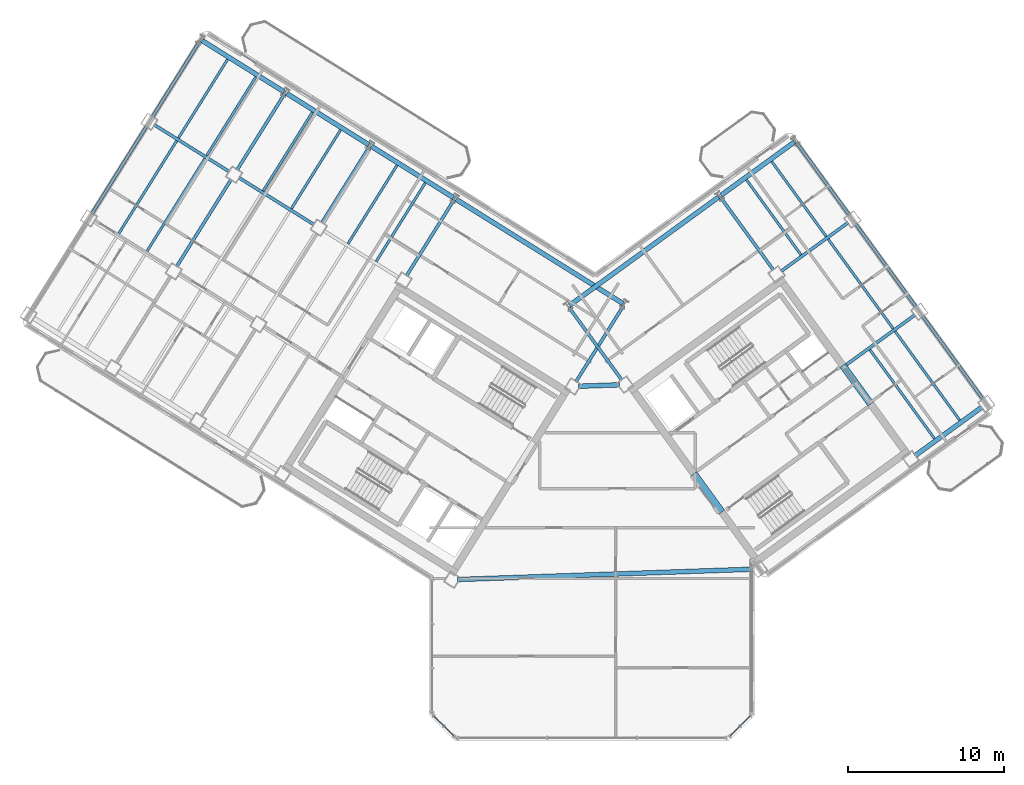
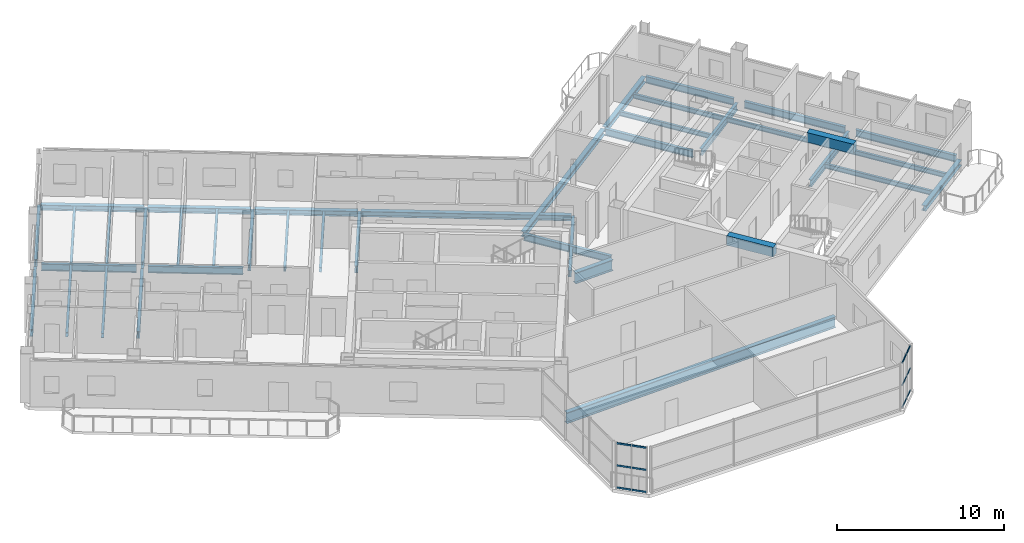
# One storey, part 7 of 21: 40 beams, 12 members, 2 elements without a shape of their own.
"""IFC4 building model written with IfcOpenShell, lengths in metres."""

import ifcopenshell
import ifcopenshell.guid

model = None  # the IFC model being written
_history = None  # IfcOwnerHistory: only IFC2X3 demands one
_inside = {}  # id of a spatial element -> (the spatial element, [elements in it])
_under = {}  # id of a project, library or spatial element -> (it, [spatial elements below it])
_declared = {}  # id of a project -> (the project, [libraries it declares])
_typed = {}  # id of a type object -> (the type object, [elements of that type])
_made_of = {}  # id of a material, layer set ... -> (it, [elements and type objects made of it])


def new_model(schema):
    """Start an empty IFC model of exactly this schema.

    Asked for "IFC4X3", IfcOpenShell would pick the latest addendum, in which some entities
    have other attributes; the version numbers below select the first issue.
    IFC2X3 requires an IfcOwnerHistory on every rooted entity: one is made here for all.
    """
    global model, _history
    if schema == "IFC4X3":
        model = ifcopenshell.file(schema_version=(4, 3, 0, 0))
    else:
        model = ifcopenshell.file(schema=schema)
    _inside.clear()
    _under.clear()
    _declared.clear()
    _typed.clear()
    _made_of.clear()
    _history = None
    if model.schema == "IFC2X3":
        org = make("IfcOrganization", Name="unknown")
        user = make(
            "IfcPersonAndOrganization",
            ThePerson=make("IfcPerson", FamilyName="unknown"),
            TheOrganization=org,
        )
        app = make(
            "IfcApplication",
            ApplicationDeveloper=org,
            Version="unknown",
            ApplicationFullName="unknown",
            ApplicationIdentifier="unknown",
        )
        _history = make(
            "IfcOwnerHistory",
            OwningUser=user,
            OwningApplication=app,
            ChangeAction="ADDED",
            CreationDate=0,
        )
    return model


def make(cls, **values):
    """One entity of the class cls with the attributes given. An attribute that is None is left unset."""
    return model.create_entity(
        cls, **{name: value for name, value in values.items() if value is not None}
    )


def rooted(cls, **values):
    """An entity with a GlobalId (a new one), such as an element, a storey or a relation."""
    return make(cls, GlobalId=ifcopenshell.guid.new(), OwnerHistory=_history, **values)


def si_unit(unit_type, name, prefix=None):
    """IfcSIUnit, for example si_unit("LENGTHUNIT", "METRE", prefix="MILLI")."""
    return make("IfcSIUnit", UnitType=unit_type, Prefix=prefix, Name=name)


def assignment(units):
    """IfcUnitAssignment: the units of a project."""
    return None if units is None else make("IfcUnitAssignment", Units=units)


def point(xyz):
    """IfcCartesianPoint."""
    return None if xyz is None else make("IfcCartesianPoint", Coordinates=xyz)


def direction(xyz):
    """IfcDirection."""
    return None if xyz is None else make("IfcDirection", DirectionRatios=xyz)


def frame(location, z_axis=None, x_axis=None):
    """IfcAxis2Placement3D, a coordinate frame: its origin and axes. An axis left out is left unset."""
    return make(
        "IfcAxis2Placement3D",
        Location=point(location),
        Axis=direction(z_axis),
        RefDirection=direction(x_axis),
    )


def frame_2d(location, x_axis=None):
    """IfcAxis2Placement2D, a coordinate frame in the plane: its origin and x axis."""
    return make(
        "IfcAxis2Placement2D", Location=point(location), RefDirection=direction(x_axis)
    )


def origin():
    """The frame at (0, 0, 0) with its axes left unset."""
    return frame((0.0, 0.0, 0.0))


def origin_2d():
    """The frame at (0, 0) in the plane with its x axis left unset."""
    return frame_2d((0.0, 0.0))


def place(relative_to, where):
    """IfcLocalPlacement: puts the frame where relative to a parent placement (None: the world)."""
    return make(
        "IfcLocalPlacement", PlacementRelTo=relative_to, RelativePlacement=where
    )


def context(
    kind, dimensions, precision=None, world=None, true_north=None, identifier=None
):
    """IfcGeometricRepresentationContext, for example the 3D "Model" context."""
    return make(
        "IfcGeometricRepresentationContext",
        ContextIdentifier=identifier,
        ContextType=kind,
        CoordinateSpaceDimension=dimensions,
        Precision=precision,
        WorldCoordinateSystem=world,
        TrueNorth=true_north,
    )


def subcontext(parent, identifier, kind, view, scale=None):
    """IfcGeometricRepresentationSubContext, for example "Body" below "Model"."""
    return make(
        "IfcGeometricRepresentationSubContext",
        ContextIdentifier=identifier,
        ContextType=kind,
        ParentContext=parent,
        TargetScale=scale,
        TargetView=view,
    )


def project(units=None, contexts=None):
    """IfcProject with its units and contexts."""
    return rooted(
        "IfcProject",
        Name="project",
        RepresentationContexts=contexts,
        UnitsInContext=assignment(units),
    )


def spatial(cls, under=None, at=None, **own):
    """A site, building, storey or space (cls), placed at a placement, below another one or the project."""
    s = rooted(cls, ObjectPlacement=at, **own)
    if under is not None:
        _under.setdefault(under.id(), (under, []))[1].append(s)
    return s


def profile(cls, at=None, kind="AREA", **sizes):
    """A parametric profile (cls). Its sizes go by their IFC names, for example OverallWidth=200.0."""
    return make(cls, ProfileType=kind, Position=at, **sizes)


def rectangle(**sizes):
    """IfcRectangleProfileDef."""
    return profile("IfcRectangleProfileDef", **sizes)


def hollow_rectangle(**sizes):
    """IfcRectangleHollowProfileDef."""
    return profile("IfcRectangleHollowProfileDef", **sizes)


def i_section(**sizes):
    """IfcIShapeProfileDef."""
    return profile("IfcIShapeProfileDef", **sizes)


def extrude(swept, where, along, depth):
    """IfcExtrudedAreaSolid: the profile swept, set in the frame where, extruded along a direction by depth."""
    return make(
        "IfcExtrudedAreaSolid",
        SweptArea=swept,
        Position=where,
        ExtrudedDirection=direction(along),
        Depth=depth,
    )


def shape(context_of_items, identifier, shape_type, items):
    """IfcShapeRepresentation: the items that make up one representation, for example the "Body"."""
    return make(
        "IfcShapeRepresentation",
        ContextOfItems=context_of_items,
        RepresentationIdentifier=identifier,
        RepresentationType=shape_type,
        Items=items,
    )


def source(mapping_origin, context_of_items, identifier, shape_type, items):
    """IfcRepresentationMap: a shape defined once, which mapped items show again and again."""
    return make(
        "IfcRepresentationMap",
        MappingOrigin=mapping_origin,
        MappedRepresentation=shape(context_of_items, identifier, shape_type, items),
    )


def transform(
    local_origin,
    x_axis=None,
    y_axis=None,
    z_axis=None,
    scale=None,
    scale2=None,
    scale3=None,
    uniform=True,
):
    """IfcCartesianTransformationOperator3D, or its non-uniform kind. x_axis, y_axis, z_axis: its Axis1, 2, 3."""
    if uniform:
        return make(
            "IfcCartesianTransformationOperator3D",
            Axis1=direction(x_axis),
            Axis2=direction(y_axis),
            LocalOrigin=point(local_origin),
            Scale=scale,
            Axis3=direction(z_axis),
        )
    return make(
        "IfcCartesianTransformationOperator3DnonUniform",
        Axis1=direction(x_axis),
        Axis2=direction(y_axis),
        LocalOrigin=point(local_origin),
        Scale=scale,
        Axis3=direction(z_axis),
        Scale2=scale2,
        Scale3=scale3,
    )


def mapped(mapping_source, mapping_target):
    """IfcMappedItem: shows the shape of a source again, moved by a transform."""
    return make(
        "IfcMappedItem", MappingSource=mapping_source, MappingTarget=mapping_target
    )


def material(Name=None, Category=None):
    """IfcMaterial."""
    return make("IfcMaterial", Name=Name, Category=Category)


def material_profile(
    of_material, cross_section, Name=None, Category=None, Priority=None
):
    """IfcMaterialProfile: a cross section and its material."""
    return make(
        "IfcMaterialProfile",
        Name=Name,
        Material=of_material,
        Profile=cross_section,
        Priority=Priority,
        Category=Category,
    )


def profile_set(profiles, Name=None, composite=None):
    """IfcMaterialProfileSet."""
    return make(
        "IfcMaterialProfileSet",
        Name=Name,
        MaterialProfiles=profiles,
        CompositeProfile=composite,
    )


def made_of(thing, what):
    """Note that an element or type object is made of a material, layer set ...; save() writes the relation."""
    if what is not None:
        _made_of.setdefault(what.id(), (what, []))[1].append(thing)
    return thing


def type_object(cls, material=None, **own):
    """A type object (cls), such as IfcWallType, which elements share."""
    return made_of(rooted(cls, **own), material)


def element(
    cls,
    number,
    at=None,
    inside=None,
    cuts=None,
    type_object=None,
    material=None,
    context=None,
    identifier="Body",
    shape_type=None,
    held_by="IfcProductDefinitionShape",
    body=None,
    shapes=None,
    **own,
):
    """One element of the class cls, such as IfcWall. Its Tag is "e" and its number.

    at: its placement. inside: the storey or other place that contains it. cuts: it is an
    opening in that element (IfcRelVoidsElement). A single representation is given by context,
    identifier, shape_type and body (its items); several are given by shapes. held_by: the class
    of the entity that holds the representations. save() writes the other relations.
    """
    e = rooted(cls, Tag="e%d" % number, ObjectPlacement=at, **own)
    if body is not None:
        shapes = [shape(context, identifier, shape_type, body)]
    if shapes is not None:
        e.Representation = make(held_by, Representations=shapes)
    if inside is not None:
        _inside.setdefault(inside.id(), (inside, []))[1].append(e)
    if cuts is not None:
        rooted(
            "IfcRelVoidsElement", RelatingBuildingElement=cuts, RelatedOpeningElement=e
        )
    if type_object is not None:
        _typed.setdefault(type_object.id(), (type_object, []))[1].append(e)
    return made_of(e, material)


def aggregate(whole, parts):
    """IfcRelAggregates: a whole, such as a stair, and the parts it consists of."""
    return rooted("IfcRelAggregates", RelatingObject=whole, RelatedObjects=parts)


def save(model, path):
    """Write the relations noted so far, then the file.

    IfcRelAggregates (storeys below a building ...), IfcRelContainedInSpatialStructure (elements
    in a storey), IfcRelDefinesByType, IfcRelAssociatesMaterial and IfcRelDeclares: one each for
    every whole, place, type object, material and project.
    """
    for whole, parts in _under.values():
        aggregate(whole, parts)
    for where, things in _inside.values():
        rooted(
            "IfcRelContainedInSpatialStructure",
            RelatedElements=things,
            RelatingStructure=where,
        )
    for kind, things in _typed.values():
        rooted("IfcRelDefinesByType", RelatedObjects=things, RelatingType=kind)
    for what, things in _made_of.values():
        rooted("IfcRelAssociatesMaterial", RelatedObjects=things, RelatingMaterial=what)
    for by, libraries in _declared.values():
        rooted("IfcRelDeclares", RelatingContext=by, RelatedDefinitions=libraries)
    model.write(path)


model = new_model("IFC4")

# Units and contexts
model_context = context("Model", 3, precision=1e-05, world=origin(), true_north=direction((0.0, 1.0)))
body_context = subcontext(model_context, "Body", "Model", "MODEL_VIEW")
ifc_project = project(units=[si_unit("LENGTHUNIT", "METRE"), si_unit("AREAUNIT", "SQUARE_METRE"), si_unit("VOLUMEUNIT", "CUBIC_METRE"), si_unit("PLANEANGLEUNIT", "RADIAN"), si_unit("MASSUNIT", "GRAM", prefix="KILO")], contexts=[model_context])

# Site, building, storey
site_placement = place(None, origin())
site = spatial("IfcSite", under=ifc_project, at=site_placement, CompositionType="ELEMENT")
building_placement = place(site_placement, origin())
building = spatial("IfcBuilding", under=site, at=building_placement, Name="Tlacorven Tower", CompositionType="ELEMENT")
storey_placement = place(building_placement, frame((0.0, 0.0, 207.60009765625)))
storey = spatial("IfcBuildingStorey", under=building, at=storey_placement, Name="L52", CompositionType="ELEMENT", Elevation=207.60009765625)

# Beams
ifc_material_1 = material(Name="Concrete C60/75", Category="concrete")
ifc_material_profile_1 = material_profile(ifc_material_1, rectangle(XDim=0.449951171875, YDim=0.699951171875, at=origin_2d()), Name="RC 450X700")
ifc_profile_set_1 = profile_set([ifc_material_profile_1], Name="Concrete C60/75")
beam_type_1 = type_object("IfcBeamType", Name="BM-LNT-700", PredefinedType="LINTEL", material=ifc_profile_set_1)
shared_shape_1 = source(origin(), body_context, "Body", "SweptSolid", [
    extrude(rectangle(XDim=0.449951171875, YDim=0.699951171875, at=origin_2d()), origin(), (0.0, 0.0, 1.0), 3.050048828125),
])
for number, where, z_axis, x_axis, name in (
    (1, (50.318359375, 16.416015625, 3.0), (-0.587776590479, 0.80902328748, 0.0), (-0.80902328748, -0.587776590479, 0.0), "L52 E core coupling lintel beam E1"),
    (2, (59.856689453125, 23.345947265625, 3.0), (-0.587776590479, 0.80902328748, 0.0), (-0.80902328748, -0.587776590479, 0.0), "L52 E core coupling lintel beam E2"),
):
    element("IfcBeam", number, at=place(storey_placement, frame(where, z_axis=z_axis, x_axis=x_axis)), inside=storey, type_object=beam_type_1, Name=name, PredefinedType="LINTEL", context=body_context, shape_type="MappedRepresentation", body=[
        mapped(shared_shape_1, transform((0.0, 0.0, 0.0), scale=1.0)),
    ])
ifc_material_2 = material(Name="Steel S355J2", Category="steel")
ifc_material_profile_2 = material_profile(ifc_material_2, i_section(OverallWidth=0.300048828125, OverallDepth=0.800048828125, WebThickness=0.017578125, FlangeThickness=0.032958984375, at=origin_2d()), Name="HEB 800")
ifc_profile_set_2 = profile_set([ifc_material_profile_2], Name="Steel S355J2")
beam_type_2 = type_object("IfcBeamType", Name="BM-POD-800", PredefinedType="BEAM", material=ifc_profile_set_2)
shared_shape_2 = source(origin(), body_context, "Body", "SweptSolid", [
    extrude(i_section(OverallWidth=0.300048828125, OverallDepth=0.800048828125, WebThickness=0.017578125, FlangeThickness=0.032958984375, at=origin_2d()), origin(), (0.0, 0.0, 1.0), 2.642822265625),
])
beam_1_placement = place(storey_placement, frame((41.1328125, 24.480712890625, -0.650146484375), z_axis=(0.999393314814, 0.034828182629, 0.0), x_axis=(-0.034828182629, 0.999393314814, 0.0)))
element("IfcBeam", 3, at=beam_1_placement, inside=storey, type_object=beam_type_2, Name="L52 Knuckle Link Girder 1", PredefinedType="BEAM", context=body_context, shape_type="MappedRepresentation", body=[
    mapped(shared_shape_2, transform((0.0, 0.0, 0.0), scale=1.0)),
])
ifc_material_profile_3 = material_profile(ifc_material_2, i_section(OverallWidth=0.199951171875, OverallDepth=0.5, WebThickness=0.01025390625, FlangeThickness=0.01611328125, at=origin_2d()), Name="IPE 500")
ifc_profile_set_3 = profile_set([ifc_material_profile_3], Name="Steel S355J2")
beam_type_3 = type_object("IfcBeamType", Name="BM-TWR-500", PredefinedType="BEAM", material=ifc_profile_set_3)
shared_shape_3 = source(origin(), body_context, "Body", "SweptSolid", [
    extrude(i_section(OverallWidth=0.199951171875, OverallDepth=0.5, WebThickness=0.01025390625, FlangeThickness=0.01611328125, at=origin_2d()), origin(), (0.0, 0.0, 1.0), 5.7001953125),
])
for number, where, z_axis, x_axis, name in (
    (4, (24.20361328125, 34.828369140625, -0.5), (-0.848056048787, 0.529906537151, 0.0), (-0.529906537151, -0.848056048787, 0.0), "L52 beam BM-L52-WL2-4"),
    (5, (18.776123046875, 38.2197265625, -0.5), (-0.848056048787, 0.529906537151, 0.0), (-0.529906537151, -0.848056048787, 0.0), "L52 beam BM-L52-WL2-5"),
):
    element("IfcBeam", number, at=place(storey_placement, frame(where, z_axis=z_axis, x_axis=x_axis)), inside=storey, type_object=beam_type_3, Name=name, PredefinedType="BEAM", context=body_context, shape_type="MappedRepresentation", body=[
        mapped(shared_shape_3, transform((0.0, 0.0, 0.0), scale=1.0)),
    ])
shared_shape_4 = source(origin(), body_context, "Body", "SweptSolid", [
    extrude(i_section(OverallWidth=0.199951171875, OverallDepth=0.5, WebThickness=0.01025390625, FlangeThickness=0.01611328125, at=origin_2d()), origin(), (0.0, 0.0, 1.0), 5.75),
])
for number, where, z_axis, x_axis, name in (
    (6, (44.015380859375, 29.6416015625, -0.5), (-0.529884439831, -0.848069855864, 0.0), (0.848069855864, -0.529884439831, 0.0), "L52 beam BM-L52-WT1-1"),
    (7, (33.160400390625, 36.424560546875, -0.5), (-0.529884439831, -0.848069855864, 0.0), (0.848069855864, -0.529884439831, 0.0), "L52 beam BM-L52-WT3-1"),
    (8, (27.73291015625, 39.81591796875, -0.5), (-0.529934056882, -0.848038852504, 0.0), (0.848038852504, -0.529934056882, 0.0), "L52 beam BM-L52-WT4-1"),
    (9, (16.8779296875, 46.598876953125, -0.5), (-0.529934056882, -0.848038852504, 0.0), (0.848038852504, -0.529934056882, 0.0), "L52 beam BM-L52-WT6-1"),
    (10, (43.91796875, 24.8681640625, -0.5), (-0.587770208527, 0.809027924097, 0.0), (-0.809027924097, -0.587770208527, 0.0), "L52 beam BM-L52-ET1-2"),
    (11, (53.626220703125, 31.921630859375, -0.5), (-0.587770208527, 0.809027924097, 0.0), (-0.809027924097, -0.587770208527, 0.0), "L52 beam BM-L52-ET3-2"),
    (12, (58.480224609375, 35.4482421875, -0.5), (-0.587770208527, 0.809027924097, 0.0), (-0.809027924097, -0.587770208527, 0.0), "L52 beam BM-L52-ET4-3"),
):
    element("IfcBeam", number, at=place(storey_placement, frame(where, z_axis=z_axis, x_axis=x_axis)), inside=storey, type_object=beam_type_3, Name=name, PredefinedType="BEAM", context=body_context, shape_type="MappedRepresentation", body=[
        mapped(shared_shape_4, transform((0.0, 0.0, 0.0), scale=1.0)),
    ])
shared_shape_5 = source(origin(), body_context, "Body", "SweptSolid", [
    extrude(i_section(OverallWidth=0.199951171875, OverallDepth=0.5, WebThickness=0.01025390625, FlangeThickness=0.01611328125, at=origin_2d()), origin(), (0.0, 0.0, 1.0), 6.599853515625),
])
beam_2_placement = place(storey_placement, frame((13.4599609375, 41.12890625, -0.5), z_axis=(-0.529942412256, -0.848033631227, 0.0), x_axis=(0.848033631227, -0.529942412256, 0.0)))
element("IfcBeam", 13, at=beam_2_placement, inside=storey, type_object=beam_type_3, Name="L52 beam BM-L52-WT6-2", PredefinedType="BEAM", context=body_context, shape_type="MappedRepresentation", body=[
    mapped(shared_shape_5, transform((0.0, 0.0, 0.0), scale=1.0)),
])
shared_shape_6 = source(origin(), body_context, "Body", "SweptSolid", [
    extrude(i_section(OverallWidth=0.199951171875, OverallDepth=0.5, WebThickness=0.01025390625, FlangeThickness=0.01611328125, at=origin_2d()), origin(), (0.0, 0.0, 1.0), 6.60009765625),
])
for number, where, z_axis, x_axis, name in (
    (14, (18.887451171875, 37.737548828125, -0.5), (-0.529925788294, -0.848044019436, 0.0), (0.848044019436, -0.529925788294, 0.0), "L52 beam BM-L52-WT5-2"),
    (15, (67.06201171875, 23.63671875, -0.5), (-0.587780128583, 0.809020716943, 0.0), (-0.809020716943, -0.587780128583, 0.0), "L52 beam BM-L52-ET4-1"),
    (16, (62.771240234375, 29.54248046875, -0.5), (-0.587780128583, 0.809020716943, 0.0), (-0.809020716943, -0.587780128583, 0.0), "L52 beam BM-L52-ET4-2"),
):
    element("IfcBeam", number, at=place(storey_placement, frame(where, z_axis=z_axis, x_axis=x_axis)), inside=storey, type_object=beam_type_3, Name=name, PredefinedType="BEAM", context=body_context, shape_type="MappedRepresentation", body=[
        mapped(shared_shape_6, transform((0.0, 0.0, 0.0), scale=1.0)),
    ])
shared_shape_7 = source(origin(), body_context, "Body", "SweptSolid", [
    extrude(i_section(OverallWidth=0.199951171875, OverallDepth=0.5, WebThickness=0.01025390625, FlangeThickness=0.01611328125, at=origin_2d()), origin(), (0.0, 0.0, 1.0), 5.750244140625),
])
beam_3_placement = place(storey_placement, frame((22.305419921875, 43.20751953125, -0.5), z_axis=(-0.529914976044, -0.848050775699, 0.0), x_axis=(0.848050775699, -0.529914976044, 0.0)))
element("IfcBeam", 17, at=beam_3_placement, inside=storey, type_object=beam_type_3, Name="L52 beam BM-L52-WT5-1", PredefinedType="BEAM", context=body_context, shape_type="MappedRepresentation", body=[
    mapped(shared_shape_7, transform((0.0, 0.0, 0.0), scale=1.0)),
])
shared_shape_8 = source(origin(), body_context, "Body", "SweptSolid", [
    extrude(i_section(OverallWidth=0.199951171875, OverallDepth=0.5, WebThickness=0.01025390625, FlangeThickness=0.01611328125, at=origin_2d()), origin(), (0.0, 0.0, 1.0), 5.300048828125),
])
beam_4_placement = place(storey_placement, frame((54.114990234375, 31.84423828125, -0.5), z_axis=(0.809022830186, 0.587777219904, 0.0), x_axis=(-0.587777219904, 0.809022830186, 0.0)))
element("IfcBeam", 18, at=beam_4_placement, inside=storey, type_object=beam_type_3, Name="L52 beam BM-L52-EL3-3", PredefinedType="BEAM", context=body_context, shape_type="MappedRepresentation", body=[
    mapped(shared_shape_8, transform((0.0, 0.0, 0.0), scale=1.0)),
])
shared_shape_9 = source(origin(), body_context, "Body", "SweptSolid", [
    extrude(i_section(OverallWidth=0.199951171875, OverallDepth=0.5, WebThickness=0.01025390625, FlangeThickness=0.01611328125, at=origin_2d()), origin(), (0.0, 0.0, 1.0), 5.6103515625),
])
beam_5_placement = place(storey_placement, frame((58.155029296875, 25.756103515625, -0.5), z_axis=(0.809020142627, 0.587780919071, 0.0), x_axis=(-0.587780919071, 0.809020142627, 0.0)))
element("IfcBeam", 19, at=beam_5_placement, inside=storey, type_object=beam_type_3, Name="L52 beam BM-L52-EL2-3", PredefinedType="BEAM", context=body_context, shape_type="MappedRepresentation", body=[
    mapped(shared_shape_9, transform((0.0, 0.0, 0.0), scale=1.0)),
])
shared_shape_10 = source(origin(), body_context, "Body", "SweptSolid", [
    extrude(i_section(OverallWidth=0.300048828125, OverallDepth=0.800048828125, WebThickness=0.017578125, FlangeThickness=0.032958984375, at=origin_2d()), origin(), (0.0, 0.0, 1.0), 18.97119140625),
])
beam_6_placement = place(storey_placement, frame((33.39599609375, 12.09912109375, -0.650146484375), z_axis=(0.999390787537, 0.034900627304, 0.0), x_axis=(-0.034900627304, 0.999390787537, 0.0)))
element("IfcBeam", 20, at=beam_6_placement, inside=storey, type_object=beam_type_2, Name="L52 Knuckle Link Girder 2", PredefinedType="BEAM", context=body_context, shape_type="MappedRepresentation", body=[
    mapped(shared_shape_10, transform((0.0, 0.0, 0.0), scale=1.0)),
])
ifc_material_profile_4 = material_profile(ifc_material_2, i_section(OverallWidth=0.159912109375, OverallDepth=0.330078125, WebThickness=0.007568359375, FlangeThickness=0.011474609375, at=origin_2d()), Name="IPE 330")
ifc_profile_set_4 = profile_set([ifc_material_profile_4], Name="Steel S355J2")
beam_type_4 = type_object("IfcBeamType", Name="BM-JST-330", PredefinedType="JOIST", material=ifc_profile_set_4)
shared_shape_11 = source(origin(), body_context, "Body", "SweptSolid", [
    extrude(i_section(OverallWidth=0.159912109375, OverallDepth=0.330078125, WebThickness=0.007568359375, FlangeThickness=0.011474609375, at=origin_2d()), origin(), (0.0, 0.0, 1.0), 7.0400390625),
])
beam_7_placement = place(storey_placement, frame((63.9404296875, 21.127685546875, -0.4150390625), z_axis=(-0.587773661987, 0.809025415098, 0.0), x_axis=(-0.809025415098, -0.587773661987, 0.0)))
element("IfcBeam", 21, at=beam_7_placement, inside=storey, type_object=beam_type_4, Name="L52 beam BM-L52-EJ3-1-1", PredefinedType="JOIST", context=body_context, shape_type="MappedRepresentation", body=[
    mapped(shared_shape_11, transform((0.0, 0.0, 0.0), scale=1.0)),
])
shared_shape_12 = source(origin(), body_context, "Body", "SweptSolid", [
    extrude(i_section(OverallWidth=0.159912109375, OverallDepth=0.330078125, WebThickness=0.007568359375, FlangeThickness=0.011474609375, at=origin_2d()), origin(), (0.0, 0.0, 1.0), 5.940185546875),
])
for number, where, z_axis, x_axis, name in (
    (22, (29.512939453125, 38.638916015625, -0.4150390625), (-0.529902882565, -0.848058332339, 0.0), (0.848058332339, -0.529902882565, 0.0), "L52 beam BM-L52-WJ3-1-2"),
    (23, (25.894775390625, 40.899658203125, -0.4150390625), (-0.529950911506, -0.848028319924, 0.0), (0.848028319924, -0.529950911506, 0.0), "L52 beam BM-L52-WJ4-1-1"),
    (24, (18.657958984375, 45.421875, -0.4150390625), (-0.529902882565, -0.848058332339, 0.0), (0.848058332339, -0.529902882565, 0.0), "L52 beam BM-L52-WJ5-1-2"),
    (25, (55.38818359375, 32.89892578125, -0.4150390625), (-0.587778174144, 0.809022136903, 0.0), (-0.809022136903, -0.587778174144, 0.0), "L52 beam BM-L52-EJ3-3-1"),
    (26, (57.00634765625, 34.074462890625, -0.4150390625), (-0.587778174144, 0.809022136903, 0.0), (-0.809022136903, -0.587778174144, 0.0), "L52 beam BM-L52-EJ3-3-2"),
):
    element("IfcBeam", number, at=place(storey_placement, frame(where, z_axis=z_axis, x_axis=x_axis)), inside=storey, type_object=beam_type_4, Name=name, PredefinedType="JOIST", context=body_context, shape_type="MappedRepresentation", body=[
        mapped(shared_shape_12, transform((0.0, 0.0, 0.0), scale=1.0)),
    ])
shared_shape_13 = source(origin(), body_context, "Body", "SweptSolid", [
    extrude(i_section(OverallWidth=0.159912109375, OverallDepth=0.330078125, WebThickness=0.007568359375, FlangeThickness=0.011474609375, at=origin_2d()), origin(), (0.0, 0.0, 1.0), 7.090087890625),
])
for number, where, z_axis, x_axis, name in (
    (27, (17.208251953125, 39.07568359375, -0.4150390625), (-0.529937035031, -0.848036991471, 0.0), (0.848036991471, -0.529937035031, 0.0), "L52 beam BM-L52-WJ5-2-1"),
    (28, (15.39892578125, 40.206298828125, -0.4150390625), (-0.529912270669, -0.84805246618, 0.0), (0.84805246618, -0.529912270669, 0.0), "L52 beam BM-L52-WJ5-2-2"),
    (29, (61.297119140625, 28.168701171875, -0.4150390625), (-0.587782622309, 0.809018905164, 0.0), (-0.809018905164, -0.587782622309, 0.0), "L52 beam BM-L52-EJ3-2-2"),
):
    element("IfcBeam", number, at=place(storey_placement, frame(where, z_axis=z_axis, x_axis=x_axis)), inside=storey, type_object=beam_type_4, Name=name, PredefinedType="JOIST", context=body_context, shape_type="MappedRepresentation", body=[
        mapped(shared_shape_13, transform((0.0, 0.0, 0.0), scale=1.0)),
    ])
shared_shape_14 = source(origin(), body_context, "Body", "SweptSolid", [
    extrude(i_section(OverallWidth=0.159912109375, OverallDepth=0.330078125, WebThickness=0.007568359375, FlangeThickness=0.011474609375, at=origin_2d()), origin(), (0.0, 0.0, 1.0), 5.93994140625),
])
for number, where, z_axis, x_axis, name in (
    (30, (31.322265625, 37.50830078125, -0.4150390625), (-0.529921352973, -0.848046790963, 0.0), (0.848046790963, -0.529921352973, 0.0), "L52 beam BM-L52-WJ3-1-1"),
    (31, (24.08544921875, 42.0302734375, -0.4150390625), (-0.529921352973, -0.848046790963, 0.0), (0.848046790963, -0.529921352973, 0.0), "L52 beam BM-L52-WJ4-1-2"),
    (32, (20.467041015625, 44.291259765625, -0.4150390625), (-0.529921352973, -0.848046790963, 0.0), (0.848046790963, -0.529921352973, 0.0), "L52 beam BM-L52-WJ5-1-1"),
):
    element("IfcBeam", number, at=place(storey_placement, frame(where, z_axis=z_axis, x_axis=x_axis)), inside=storey, type_object=beam_type_4, Name=name, PredefinedType="JOIST", context=body_context, shape_type="MappedRepresentation", body=[
        mapped(shared_shape_14, transform((0.0, 0.0, 0.0), scale=1.0)),
    ])
shared_shape_15 = source(origin(), body_context, "Body", "SweptSolid", [
    extrude(i_section(OverallWidth=0.159912109375, OverallDepth=0.330078125, WebThickness=0.007568359375, FlangeThickness=0.011474609375, at=origin_2d()), origin(), (0.0, 0.0, 1.0), 7.039794921875),
])
beam_8_placement = place(storey_placement, frame((65.55859375, 22.303466796875, -0.4150390625), z_axis=(-0.587790152999, 0.809013433781, 0.0), x_axis=(-0.809013433781, -0.587790152999, 0.0)))
element("IfcBeam", 33, at=beam_8_placement, inside=storey, type_object=beam_type_4, Name="L52 beam BM-L52-EJ3-1-2", PredefinedType="JOIST", context=body_context, shape_type="MappedRepresentation", body=[
    mapped(shared_shape_15, transform((0.0, 0.0, 0.0), scale=1.0)),
])
ifc_material_profile_5 = material_profile(ifc_material_2, i_section(OverallWidth=0.300048828125, OverallDepth=0.389892578125, WebThickness=0.010986328125, FlangeThickness=0.01904296875, at=origin_2d()), Name="HEA 400")
ifc_profile_set_5 = profile_set([ifc_material_profile_5], Name="Steel S355J2")
beam_type_5 = type_object("IfcBeamType", Name="BM-SPN-400", PredefinedType="SPANDREL", material=ifc_profile_set_5)
shared_shape_16 = source(origin(), body_context, "Body", "SweptSolid", [
    extrude(i_section(OverallWidth=0.300048828125, OverallDepth=0.389892578125, WebThickness=0.010986328125, FlangeThickness=0.01904296875, at=origin_2d()), origin(), (0.0, 0.0, 1.0), 12.599853515625),
])
beam_9_placement = place(storey_placement, frame((43.983642578125, 29.779296875, -0.445068359375), z_axis=(-0.848045108756, 0.529924045043, 0.0), x_axis=(-0.529924045043, -0.848045108756, 0.0)))
element("IfcBeam", 34, at=beam_9_placement, inside=storey, type_object=beam_type_5, Name="L52 beam BM-L52-WL1-1", PredefinedType="SPANDREL", context=body_context, shape_type="MappedRepresentation", body=[
    mapped(shared_shape_16, transform((0.0, 0.0, 0.0), scale=1.0)),
])
shared_shape_17 = source(origin(), body_context, "Body", "SweptSolid", [
    extrude(i_section(OverallWidth=0.300048828125, OverallDepth=0.389892578125, WebThickness=0.010986328125, FlangeThickness=0.01904296875, at=origin_2d()), origin(), (0.0, 0.0, 1.0), 6.199951171875),
])
beam_10_placement = place(storey_placement, frame((33.128662109375, 36.562255859375, -0.445068359375), z_axis=(-0.848051394107, 0.529913986372, 0.0), x_axis=(-0.529913986372, -0.848051394107, 0.0)))
element("IfcBeam", 35, at=beam_10_placement, inside=storey, type_object=beam_type_5, Name="L52 beam BM-L52-WL1-3", PredefinedType="SPANDREL", context=body_context, shape_type="MappedRepresentation", body=[
    mapped(shared_shape_17, transform((0.0, 0.0, 0.0), scale=1.0)),
])
shared_shape_18 = source(origin(), body_context, "Body", "SweptSolid", [
    extrude(i_section(OverallWidth=0.300048828125, OverallDepth=0.389892578125, WebThickness=0.010986328125, FlangeThickness=0.01904296875, at=origin_2d()), origin(), (0.0, 0.0, 1.0), 6.2001953125),
])
for number, where, z_axis, x_axis, name in (
    (36, (27.701171875, 39.95361328125, -0.445068359375), (-0.84804475579, 0.5299246099, 0.0), (-0.5299246099, -0.84804475579, 0.0), "L52 beam BM-L52-WL1-4"),
    (37, (22.273681640625, 43.34521484375, -0.445068359375), (-0.848062451332, 0.529896290457, 0.0), (-0.529896290457, -0.848062451332, 0.0), "L52 beam BM-L52-WL1-5"),
):
    element("IfcBeam", number, at=place(storey_placement, frame(where, z_axis=z_axis, x_axis=x_axis)), inside=storey, type_object=beam_type_5, Name=name, PredefinedType="SPANDREL", context=body_context, shape_type="MappedRepresentation", body=[
        mapped(shared_shape_18, transform((0.0, 0.0, 0.0), scale=1.0)),
    ])
shared_shape_19 = source(origin(), body_context, "Body", "SweptSolid", [
    extrude(i_section(OverallWidth=0.300048828125, OverallDepth=0.389892578125, WebThickness=0.010986328125, FlangeThickness=0.01904296875, at=origin_2d()), origin(), (0.0, 0.0, 1.0), 5.300048828125),
])
beam_11_placement = place(storey_placement, frame((62.69677734375, 20.032470703125, -0.445068359375), z_axis=(0.809022830186, 0.587777219904, 0.0), x_axis=(-0.587777219904, 0.809022830186, 0.0)))
element("IfcBeam", 38, at=beam_11_placement, inside=storey, type_object=beam_type_5, Name="L52 beam BM-L52-EL1-3", PredefinedType="SPANDREL", context=body_context, shape_type="MappedRepresentation", body=[
    mapped(shared_shape_19, transform((0.0, 0.0, 0.0), scale=1.0)),
])
shared_shape_20 = source(origin(), body_context, "Body", "SweptSolid", [
    extrude(i_section(OverallWidth=0.300048828125, OverallDepth=0.389892578125, WebThickness=0.010986328125, FlangeThickness=0.01904296875, at=origin_2d()), origin(), (0.0, 0.0, 1.0), 11.800048828125),
])
beam_12_placement = place(storey_placement, frame((40.560302734375, 29.65966796875, -0.445068359375), z_axis=(0.80900977213, 0.587795192732, 0.0), x_axis=(-0.587795192732, 0.80900977213, 0.0)))
element("IfcBeam", 39, at=beam_12_placement, inside=storey, type_object=beam_type_5, Name="L52 beam BM-L52-EL4-1", PredefinedType="SPANDREL", context=body_context, shape_type="MappedRepresentation", body=[
    mapped(shared_shape_20, transform((0.0, 0.0, 0.0), scale=1.0)),
])
shared_shape_21 = source(origin(), body_context, "Body", "SweptSolid", [
    extrude(i_section(OverallWidth=0.300048828125, OverallDepth=0.389892578125, WebThickness=0.010986328125, FlangeThickness=0.01904296875, at=origin_2d()), origin(), (0.0, 0.0, 1.0), 5.800048828125),
])
beam_13_placement = place(storey_placement, frame((50.2685546875, 36.713134765625, -0.445068359375), z_axis=(0.809019944521, 0.587781191743, 0.0), x_axis=(-0.587781191743, 0.809019944521, 0.0)))
element("IfcBeam", 40, at=beam_13_placement, inside=storey, type_object=beam_type_5, Name="L52 beam BM-L52-EL4-3", PredefinedType="SPANDREL", context=body_context, shape_type="MappedRepresentation", body=[
    mapped(shared_shape_21, transform((0.0, 0.0, 0.0), scale=1.0)),
])

# Curtain wall, members
ifc_material_3 = material(Name="Dark solar low-E double glazing in aluminium frame", Category="aluminium")
curtain_wall_type = type_object("IfcCurtainWallType", Name="CW-TWR-HIGH", PredefinedType="USERDEFINED", material=ifc_material_3)
curtain_wall_1_placement = place(storey_placement, origin())
curtain_wall_1 = element("IfcCurtainWall", 41, at=curtain_wall_1_placement, inside=storey, type_object=curtain_wall_type, Name="L52 CW-TWR-HIGH Curtain Wall 236", ObjectType="UNITISED CURTAIN WALL", PredefinedType="USERDEFINED")
ifc_material_4 = material(Name="Aluminium 6063-T6 anodised", Category="aluminium")
ifc_material_profile_6 = material_profile(ifc_material_4, hollow_rectangle(XDim=0.054931640625, YDim=0.1201171875, WallThickness=0.00341796875, at=origin_2d()), Name="ALU TRANSOM 55X120")
ifc_profile_set_6 = profile_set([ifc_material_profile_6], Name="Aluminium 6063-T6 anodised")
member_type = type_object("IfcMemberType", Name="CWT-03", PredefinedType="USERDEFINED", material=ifc_profile_set_6)
shared_shape_22 = source(origin(), body_context, "Body", "SweptSolid", [
    extrude(hollow_rectangle(XDim=0.054931640625, YDim=0.1201171875, WallThickness=0.00341796875, at=origin_2d()), origin(), (0.0, 0.0, 1.0), 0.899169921875),
])
member_1_placement = place(storey_placement, frame((52.13525390625, 3.361572265625, 0.059814453125), z_axis=(-0.707106781187, -0.707106781187, 0.0), x_axis=(0.707106781187, -0.707106781187, 0.0)))
member_1 = element("IfcMember", 42, at=member_1_placement, type_object=member_type, Name="CW-L52-236 Transom 1", ObjectType="TRANSOM", PredefinedType="USERDEFINED", context=body_context, shape_type="MappedRepresentation", body=[
    mapped(shared_shape_22, transform((0.0, 0.0, 0.0), scale=1.0)),
])
member_2_placement = place(storey_placement, frame((52.13525390625, 3.361572265625, 1.6748046875), z_axis=(-0.707106781187, -0.707106781187, 0.0), x_axis=(0.707106781187, -0.707106781187, 0.0)))
member_2 = element("IfcMember", 43, at=member_2_placement, type_object=member_type, Name="CW-L52-236 Transom 2", ObjectType="TRANSOM", PredefinedType="USERDEFINED", context=body_context, shape_type="MappedRepresentation", body=[
    mapped(shared_shape_22, transform((0.0, 0.0, 0.0), scale=1.0)),
])
member_3_placement = place(storey_placement, frame((52.13525390625, 3.361572265625, 3.289794921875), z_axis=(-0.707106781187, -0.707106781187, 0.0), x_axis=(0.707106781187, -0.707106781187, 0.0)))
member_3 = element("IfcMember", 44, at=member_3_placement, type_object=member_type, Name="CW-L52-236 Transom 3", ObjectType="TRANSOM", PredefinedType="USERDEFINED", context=body_context, shape_type="MappedRepresentation", body=[
    mapped(shared_shape_22, transform((0.0, 0.0, 0.0), scale=1.0)),
])
member_4_placement = place(storey_placement, frame((51.47412109375, 2.700439453125, 0.059814453125), z_axis=(-0.707106781187, -0.707106781187, 0.0), x_axis=(0.707106781187, -0.707106781187, 0.0)))
member_4 = element("IfcMember", 45, at=member_4_placement, type_object=member_type, Name="CW-L52-236 Transom 4", ObjectType="TRANSOM", PredefinedType="USERDEFINED", context=body_context, shape_type="MappedRepresentation", body=[
    mapped(shared_shape_22, transform((0.0, 0.0, 0.0), scale=1.0)),
])
member_5_placement = place(storey_placement, frame((51.47412109375, 2.700439453125, 1.6748046875), z_axis=(-0.707106781187, -0.707106781187, 0.0), x_axis=(0.707106781187, -0.707106781187, 0.0)))
member_5 = element("IfcMember", 46, at=member_5_placement, type_object=member_type, Name="CW-L52-236 Transom 5", ObjectType="TRANSOM", PredefinedType="USERDEFINED", context=body_context, shape_type="MappedRepresentation", body=[
    mapped(shared_shape_22, transform((0.0, 0.0, 0.0), scale=1.0)),
])
member_6_placement = place(storey_placement, frame((51.47412109375, 2.700439453125, 3.289794921875), z_axis=(-0.707106781187, -0.707106781187, 0.0), x_axis=(0.707106781187, -0.707106781187, 0.0)))
member_6 = element("IfcMember", 47, at=member_6_placement, type_object=member_type, Name="CW-L52-236 Transom 6", ObjectType="TRANSOM", PredefinedType="USERDEFINED", context=body_context, shape_type="MappedRepresentation", body=[
    mapped(shared_shape_22, transform((0.0, 0.0, 0.0), scale=1.0)),
])
aggregate(curtain_wall_1, [member_1, member_2, member_3, member_4, member_5, member_6])

curtain_wall_2_placement = place(storey_placement, origin())
curtain_wall_2 = element("IfcCurtainWall", 48, at=curtain_wall_2_placement, inside=storey, type_object=curtain_wall_type, Name="L52 CW-TWR-HIGH Curtain Wall 238", ObjectType="UNITISED CURTAIN WALL", PredefinedType="USERDEFINED")
member_7_placement = place(storey_placement, frame((33.16162109375, 2.064697265625, 0.059814453125), z_axis=(-0.707106781187, 0.707106781187, 0.0), x_axis=(-0.707106781187, -0.707106781187, 0.0)))
member_7 = element("IfcMember", 49, at=member_7_placement, type_object=member_type, Name="CW-L52-238 Transom 1", ObjectType="TRANSOM", PredefinedType="USERDEFINED", context=body_context, shape_type="MappedRepresentation", body=[
    mapped(shared_shape_22, transform((0.0, 0.0, 0.0), scale=1.0)),
])
member_8_placement = place(storey_placement, frame((33.16162109375, 2.064697265625, 1.6748046875), z_axis=(-0.707106781187, 0.707106781187, 0.0), x_axis=(-0.707106781187, -0.707106781187, 0.0)))
member_8 = element("IfcMember", 50, at=member_8_placement, type_object=member_type, Name="CW-L52-238 Transom 2", ObjectType="TRANSOM", PredefinedType="USERDEFINED", context=body_context, shape_type="MappedRepresentation", body=[
    mapped(shared_shape_22, transform((0.0, 0.0, 0.0), scale=1.0)),
])
member_9_placement = place(storey_placement, frame((33.16162109375, 2.064697265625, 3.289794921875), z_axis=(-0.707106781187, 0.707106781187, 0.0), x_axis=(-0.707106781187, -0.707106781187, 0.0)))
member_9 = element("IfcMember", 51, at=member_9_placement, type_object=member_type, Name="CW-L52-238 Transom 3", ObjectType="TRANSOM", PredefinedType="USERDEFINED", context=body_context, shape_type="MappedRepresentation", body=[
    mapped(shared_shape_22, transform((0.0, 0.0, 0.0), scale=1.0)),
])
member_10_placement = place(storey_placement, frame((32.50048828125, 2.725830078125, 0.059814453125), z_axis=(-0.707106781187, 0.707106781187, 0.0), x_axis=(-0.707106781187, -0.707106781187, 0.0)))
member_10 = element("IfcMember", 52, at=member_10_placement, type_object=member_type, Name="CW-L52-238 Transom 4", ObjectType="TRANSOM", PredefinedType="USERDEFINED", context=body_context, shape_type="MappedRepresentation", body=[
    mapped(shared_shape_22, transform((0.0, 0.0, 0.0), scale=1.0)),
])
member_11_placement = place(storey_placement, frame((32.50048828125, 2.725830078125, 1.6748046875), z_axis=(-0.707106781187, 0.707106781187, 0.0), x_axis=(-0.707106781187, -0.707106781187, 0.0)))
member_11 = element("IfcMember", 53, at=member_11_placement, type_object=member_type, Name="CW-L52-238 Transom 5", ObjectType="TRANSOM", PredefinedType="USERDEFINED", context=body_context, shape_type="MappedRepresentation", body=[
    mapped(shared_shape_22, transform((0.0, 0.0, 0.0), scale=1.0)),
])
member_12_placement = place(storey_placement, frame((32.50048828125, 2.725830078125, 3.289794921875), z_axis=(-0.707106781187, 0.707106781187, 0.0), x_axis=(-0.707106781187, -0.707106781187, 0.0)))
member_12 = element("IfcMember", 54, at=member_12_placement, type_object=member_type, Name="CW-L52-238 Transom 6", ObjectType="TRANSOM", PredefinedType="USERDEFINED", context=body_context, shape_type="MappedRepresentation", body=[
    mapped(shared_shape_22, transform((0.0, 0.0, 0.0), scale=1.0)),
])
aggregate(curtain_wall_2, [member_7, member_8, member_9, member_10, member_11, member_12])

save(model, "model.ifc")
